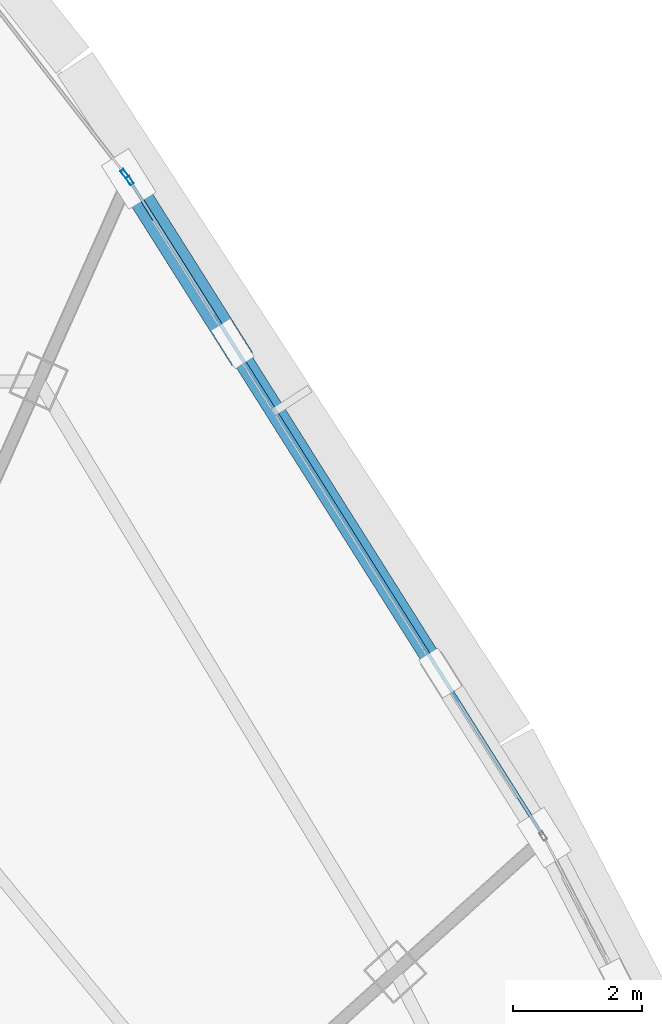
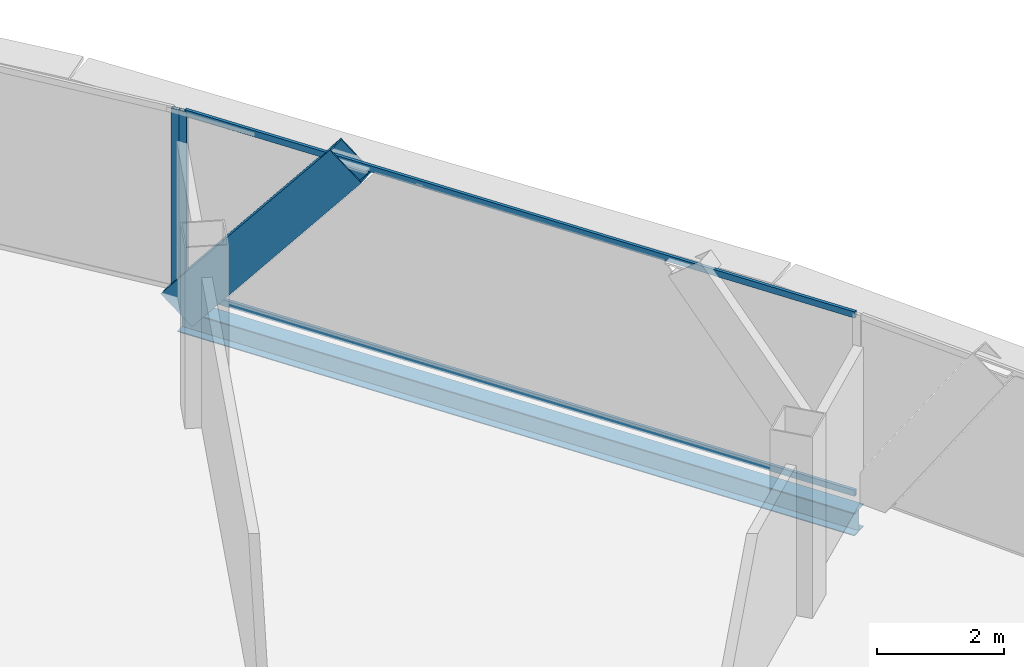
# One storey, part 20 of 28: 5 members, 1 beam, 2 elements without a shape of their own.
"""IFC4 building model written with IfcOpenShell, lengths in metres."""

from ifc_helpers import new_model, si_unit, direction, frame, origin, origin_2d, place, context, subcontext, project, spatial, hollow_rectangle, i_section, extrude, source, transform, mapped, material, layer, layer_set, material_profile, profile_set, type_object, element, aggregate, save


model = new_model("IFC4")

# Units and contexts
model_context = context("Model", 3, precision=1e-05, world=origin(), true_north=direction((0.0, 1.0)))
body_context = subcontext(model_context, "Body", "Model", "MODEL_VIEW")
ifc_project = project(units=[si_unit("LENGTHUNIT", "METRE"), si_unit("AREAUNIT", "SQUARE_METRE"), si_unit("VOLUMEUNIT", "CUBIC_METRE"), si_unit("PLANEANGLEUNIT", "RADIAN"), si_unit("MASSUNIT", "GRAM", prefix="KILO"), si_unit("THERMODYNAMICTEMPERATUREUNIT", "KELVIN"), si_unit("POWERUNIT", "WATT")], contexts=[model_context])

# Site, building, storey
site_placement = place(None, origin())
site = spatial("IfcSite", under=ifc_project, at=site_placement, CompositionType="ELEMENT")
building_placement = place(site_placement, origin())
building = spatial("IfcBuilding", under=site, at=building_placement, Name="Yunzhuo Pagoda Commons", CompositionType="ELEMENT")
storey_placement = place(building_placement, frame((0.0, 0.0, 336.760009765625)))
storey = spatial("IfcBuildingStorey", under=building, at=storey_placement, Name="L84", CompositionType="ELEMENT", Elevation=336.760009765625)

# Beam
ifc_material_1 = material(Name="Structural steel Q355B", Category="steel")
ifc_material_profile_1 = material_profile(ifc_material_1, i_section(OverallWidth=0.300048828125, OverallDepth=0.43994140625, WebThickness=0.010986328125, FlangeThickness=0.01806640625, at=origin_2d()), Name="Structural steel Q355B")
ifc_profile_set_1 = profile_set([ifc_material_profile_1], Name="Structural steel Q355B")
beam_type = type_object("IfcBeamType", Name="B-SP2 Beam HM 440x300x11x18", PredefinedType="BEAM", material=ifc_profile_set_1)
shared_shape_1 = source(origin(), body_context, "Body", "SweptSolid", [
    extrude(i_section(OverallWidth=0.300048828125, OverallDepth=0.43994140625, WebThickness=0.010986328125, FlangeThickness=0.01806640625, at=origin_2d()), origin(), (0.0, 0.0, 1.0), 12.070068359375),
])
beam_placement = place(storey_placement, frame((66.33447265625, 50.2080078125, -0.47998046875), z_axis=(-0.533485299325, 0.845809337501, 0.0), x_axis=(-0.845809337501, -0.533485299325, 0.0)))
element("IfcBeam", 1, at=beam_placement, inside=storey, type_object=beam_type, Name="L84 facade edge spandrel beam F2.3", PredefinedType="BEAM", context=body_context, shape_type="MappedRepresentation", body=[
    mapped(shared_shape_1, transform((0.0, 0.0, 0.0), scale=1.0)),
])

# Member
ifc_material_profile_2 = material_profile(ifc_material_1, hollow_rectangle(XDim=0.3798828125, YDim=0.719970703125, WallThickness=0.02001953125, at=origin_2d()), Name="Structural steel Q355B")
ifc_profile_set_2 = profile_set([ifc_material_profile_2], Name="Structural steel Q355B")
member_type_1 = type_object("IfcMemberType", Name="M-DL3 Brace BOX 720x380x20", PredefinedType="BRACE", material=ifc_profile_set_2)
shared_shape_2 = source(origin(), body_context, "Body", "SweptSolid", [
    extrude(hollow_rectangle(XDim=0.3798828125, YDim=0.719970703125, WallThickness=0.02001953125, at=origin_2d()), origin(), (0.0, 0.0, 1.0), 4.813232421875),
])
member_1_placement = place(storey_placement, frame((59.895263671875, 60.4169921875, -0.260009765625), z_axis=(0.334414499123, -0.530254690404, 0.779100061661), x_axis=(0.845836718076, 0.533441886577, 0.0)))
element("IfcMember", 2, at=member_1_placement, inside=storey, type_object=member_type_1, Name="L84 facade diamond brace F2.3R", PredefinedType="BRACE", context=body_context, shape_type="MappedRepresentation", body=[
    mapped(shared_shape_2, transform((0.0, 0.0, 0.0), scale=1.0)),
])

# Curtain wall, member
ifc_material_2 = material(Name="Anodized aluminium 6063-T6", Category="aluminium")
ifc_layer = layer(ifc_material_2, 0.139892578125)
ifc_layer_set = layer_set([ifc_layer], Name="Anodized aluminium 6063-T6")
curtain_wall_type = type_object("IfcCurtainWallType", Name="CW-HI High-Zone Ribbon Curtain Wall", PredefinedType="NOTDEFINED", material=ifc_layer_set)
curtain_wall_1_placement = place(storey_placement, origin())
curtain_wall_1 = element("IfcCurtainWall", 3, at=curtain_wall_1_placement, inside=storey, type_object=curtain_wall_type, Name="L84 curtain wall CW-L84-F2B4", PredefinedType="NOTDEFINED")
ifc_material_profile_3 = material_profile(ifc_material_2, hollow_rectangle(XDim=0.06005859375, YDim=0.139892578125, WallThickness=0.00341796875, at=origin_2d()), Name="Anodized aluminium 6063-T6")
ifc_profile_set_3 = profile_set([ifc_material_profile_3], Name="Anodized aluminium 6063-T6")
member_type_2 = type_object("IfcMemberType", Name="CW-HI-M Mullion RHS 140x60x3.5", PredefinedType="MULLION", material=ifc_profile_set_3)
shared_shape_3 = source(origin(), body_context, "Body", "SweptSolid", [
    extrude(hollow_rectangle(XDim=0.06005859375, YDim=0.139892578125, WallThickness=0.00341796875, at=origin_2d()), origin(), (0.0, 0.0, 1.0), 3.489990234375),
])
member_2_placement = place(storey_placement, frame((59.9111328125, 60.391845703125, 0.0), z_axis=(0.0, 0.0, 1.0), x_axis=(-0.845817518552, -0.533472328532, 0.0)))
member_2 = element("IfcMember", 4, at=member_2_placement, type_object=member_type_2, Name="CW mullion 2", PredefinedType="MULLION", context=body_context, shape_type="MappedRepresentation", body=[
    mapped(shared_shape_3, transform((0.0, 0.0, 0.0), scale=1.0)),
])

curtain_wall_2_placement = place(storey_placement, origin())
curtain_wall_2 = element("IfcCurtainWall", 5, at=curtain_wall_2_placement, inside=storey, type_object=curtain_wall_type, Name="L84 curtain wall CW-L84-F2B5", PredefinedType="NOTDEFINED")
member_3_placement = place(storey_placement, frame((59.8310546875, 60.5, 0.0), z_axis=(0.0, 0.0, 1.0), x_axis=(-0.79052744869, -0.612426610189, 0.0)))
member_3 = element("IfcMember", 6, at=member_3_placement, type_object=member_type_2, Name="CW mullion 1", PredefinedType="MULLION", context=body_context, shape_type="MappedRepresentation", body=[
    mapped(shared_shape_3, transform((0.0, 0.0, 0.0), scale=1.0)),
])
aggregate(curtain_wall_2, [member_3])

# Member
ifc_material_profile_4 = material_profile(ifc_material_2, hollow_rectangle(XDim=0.054931640625, YDim=0.1201171875, WallThickness=0.00341796875, at=origin_2d()), Name="Anodized aluminium 6063-T6")
ifc_profile_set_4 = profile_set([ifc_material_profile_4], Name="Anodized aluminium 6063-T6")
member_type_3 = type_object("IfcMemberType", Name="CW-HI-T Transom RHS 120x55x3.5", PredefinedType="USERDEFINED", material=ifc_profile_set_4)
shared_shape_4 = source(origin(), body_context, "Body", "SweptSolid", [
    extrude(hollow_rectangle(XDim=0.054931640625, YDim=0.1201171875, WallThickness=0.00341796875, at=origin_2d()), origin(), (0.0, 0.0, 1.0), 11.9501953125),
])
member_4_placement = place(storey_placement, frame((66.30224609375, 50.2587890625, 0.027587890625), z_axis=(-0.533467130189, 0.845820797219, 0.0), x_axis=(-0.845820797219, -0.533467130189, 0.0)))
member_4 = element("IfcMember", 7, at=member_4_placement, type_object=member_type_3, Name="CW transom 1.1", ObjectType="TRANSOM", PredefinedType="USERDEFINED", context=body_context, shape_type="MappedRepresentation", body=[
    mapped(shared_shape_4, transform((0.0, 0.0, 0.0), scale=1.0)),
])

member_5_placement = place(storey_placement, frame((66.30224609375, 50.2587890625, 3.46240234375), z_axis=(-0.533467130189, 0.845820797219, 0.0), x_axis=(-0.845820797219, -0.533467130189, 0.0)))
member_5 = element("IfcMember", 8, at=member_5_placement, type_object=member_type_3, Name="CW transom 1.2", ObjectType="TRANSOM", PredefinedType="USERDEFINED", context=body_context, shape_type="MappedRepresentation", body=[
    mapped(shared_shape_4, transform((0.0, 0.0, 0.0), scale=1.0)),
])

aggregate(curtain_wall_1, [member_2, member_4, member_5])

save(model, "model.ifc")
